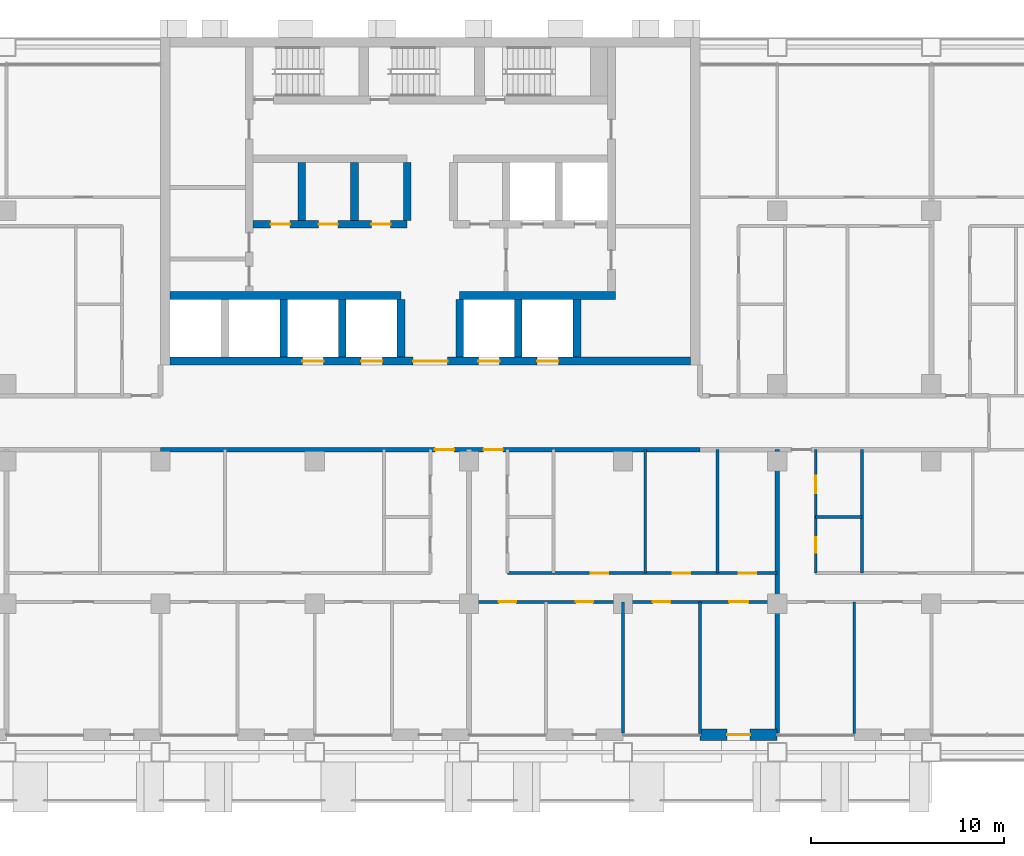
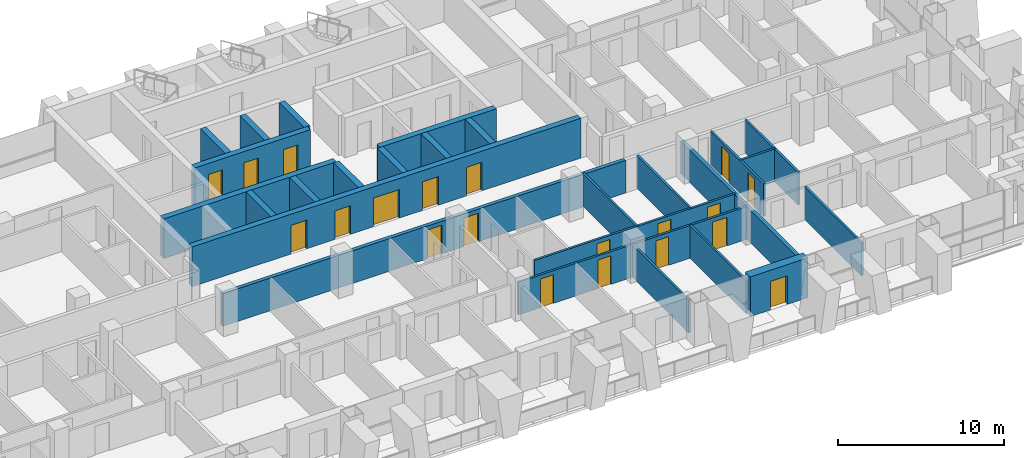
# One storey, part 11 of 18: 26 walls, 20 doors, 20 openings.
"""IFC4 building model written with IfcOpenShell, lengths in metres."""

import ifcopenshell
import ifcopenshell.guid

model = None  # the IFC model being written
_history = None  # IfcOwnerHistory: only IFC2X3 demands one
_inside = {}  # id of a spatial element -> (the spatial element, [elements in it])
_under = {}  # id of a project, library or spatial element -> (it, [spatial elements below it])
_declared = {}  # id of a project -> (the project, [libraries it declares])
_typed = {}  # id of a type object -> (the type object, [elements of that type])
_made_of = {}  # id of a material, layer set ... -> (it, [elements and type objects made of it])


def new_model(schema):
    """Start an empty IFC model of exactly this schema.

    Asked for "IFC4X3", IfcOpenShell would pick the latest addendum, in which some entities
    have other attributes; the version numbers below select the first issue.
    IFC2X3 requires an IfcOwnerHistory on every rooted entity: one is made here for all.
    """
    global model, _history
    if schema == "IFC4X3":
        model = ifcopenshell.file(schema_version=(4, 3, 0, 0))
    else:
        model = ifcopenshell.file(schema=schema)
    _inside.clear()
    _under.clear()
    _declared.clear()
    _typed.clear()
    _made_of.clear()
    _history = None
    if model.schema == "IFC2X3":
        org = make("IfcOrganization", Name="unknown")
        user = make(
            "IfcPersonAndOrganization",
            ThePerson=make("IfcPerson", FamilyName="unknown"),
            TheOrganization=org,
        )
        app = make(
            "IfcApplication",
            ApplicationDeveloper=org,
            Version="unknown",
            ApplicationFullName="unknown",
            ApplicationIdentifier="unknown",
        )
        _history = make(
            "IfcOwnerHistory",
            OwningUser=user,
            OwningApplication=app,
            ChangeAction="ADDED",
            CreationDate=0,
        )
    return model


def make(cls, **values):
    """One entity of the class cls with the attributes given. An attribute that is None is left unset."""
    return model.create_entity(
        cls, **{name: value for name, value in values.items() if value is not None}
    )


def rooted(cls, **values):
    """An entity with a GlobalId (a new one), such as an element, a storey or a relation."""
    return make(cls, GlobalId=ifcopenshell.guid.new(), OwnerHistory=_history, **values)


def si_unit(unit_type, name, prefix=None):
    """IfcSIUnit, for example si_unit("LENGTHUNIT", "METRE", prefix="MILLI")."""
    return make("IfcSIUnit", UnitType=unit_type, Prefix=prefix, Name=name)


def assignment(units):
    """IfcUnitAssignment: the units of a project."""
    return None if units is None else make("IfcUnitAssignment", Units=units)


def point(xyz):
    """IfcCartesianPoint."""
    return None if xyz is None else make("IfcCartesianPoint", Coordinates=xyz)


def direction(xyz):
    """IfcDirection."""
    return None if xyz is None else make("IfcDirection", DirectionRatios=xyz)


def frame(location, z_axis=None, x_axis=None):
    """IfcAxis2Placement3D, a coordinate frame: its origin and axes. An axis left out is left unset."""
    return make(
        "IfcAxis2Placement3D",
        Location=point(location),
        Axis=direction(z_axis),
        RefDirection=direction(x_axis),
    )


def frame_2d(location, x_axis=None):
    """IfcAxis2Placement2D, a coordinate frame in the plane: its origin and x axis."""
    return make(
        "IfcAxis2Placement2D", Location=point(location), RefDirection=direction(x_axis)
    )


def origin():
    """The frame at (0, 0, 0) with its axes left unset."""
    return frame((0.0, 0.0, 0.0))


def place(relative_to, where):
    """IfcLocalPlacement: puts the frame where relative to a parent placement (None: the world)."""
    return make(
        "IfcLocalPlacement", PlacementRelTo=relative_to, RelativePlacement=where
    )


def context(
    kind, dimensions, precision=None, world=None, true_north=None, identifier=None
):
    """IfcGeometricRepresentationContext, for example the 3D "Model" context."""
    return make(
        "IfcGeometricRepresentationContext",
        ContextIdentifier=identifier,
        ContextType=kind,
        CoordinateSpaceDimension=dimensions,
        Precision=precision,
        WorldCoordinateSystem=world,
        TrueNorth=true_north,
    )


def subcontext(parent, identifier, kind, view, scale=None):
    """IfcGeometricRepresentationSubContext, for example "Body" below "Model"."""
    return make(
        "IfcGeometricRepresentationSubContext",
        ContextIdentifier=identifier,
        ContextType=kind,
        ParentContext=parent,
        TargetScale=scale,
        TargetView=view,
    )


def project(units=None, contexts=None):
    """IfcProject with its units and contexts."""
    return rooted(
        "IfcProject",
        Name="project",
        RepresentationContexts=contexts,
        UnitsInContext=assignment(units),
    )


def spatial(cls, under=None, at=None, **own):
    """A site, building, storey or space (cls), placed at a placement, below another one or the project."""
    s = rooted(cls, ObjectPlacement=at, **own)
    if under is not None:
        _under.setdefault(under.id(), (under, []))[1].append(s)
    return s


def profile(cls, at=None, kind="AREA", **sizes):
    """A parametric profile (cls). Its sizes go by their IFC names, for example OverallWidth=200.0."""
    return make(cls, ProfileType=kind, Position=at, **sizes)


def rectangle(**sizes):
    """IfcRectangleProfileDef."""
    return profile("IfcRectangleProfileDef", **sizes)


def extrude(swept, where, along, depth):
    """IfcExtrudedAreaSolid: the profile swept, set in the frame where, extruded along a direction by depth."""
    return make(
        "IfcExtrudedAreaSolid",
        SweptArea=swept,
        Position=where,
        ExtrudedDirection=direction(along),
        Depth=depth,
    )


def shape(context_of_items, identifier, shape_type, items):
    """IfcShapeRepresentation: the items that make up one representation, for example the "Body"."""
    return make(
        "IfcShapeRepresentation",
        ContextOfItems=context_of_items,
        RepresentationIdentifier=identifier,
        RepresentationType=shape_type,
        Items=items,
    )


def material(Name=None, Category=None):
    """IfcMaterial."""
    return make("IfcMaterial", Name=Name, Category=Category)


def layer(
    of_material, thickness, ventilated=None, Name=None, Category=None, Priority=None
):
    """IfcMaterialLayer: one layer of a wall or slab, of a material (None: an air gap)."""
    return make(
        "IfcMaterialLayer",
        Material=of_material,
        LayerThickness=thickness,
        IsVentilated=ventilated,
        Name=Name,
        Category=Category,
        Priority=Priority,
    )


def layer_set(layers, Name=None):
    """IfcMaterialLayerSet."""
    return make("IfcMaterialLayerSet", MaterialLayers=layers, LayerSetName=Name)


def made_of(thing, what):
    """Note that an element or type object is made of a material, layer set ...; save() writes the relation."""
    if what is not None:
        _made_of.setdefault(what.id(), (what, []))[1].append(thing)
    return thing


def type_object(cls, material=None, **own):
    """A type object (cls), such as IfcWallType, which elements share."""
    return made_of(rooted(cls, **own), material)


def element(
    cls,
    number,
    at=None,
    inside=None,
    cuts=None,
    type_object=None,
    material=None,
    context=None,
    identifier="Body",
    shape_type=None,
    held_by="IfcProductDefinitionShape",
    body=None,
    shapes=None,
    **own,
):
    """One element of the class cls, such as IfcWall. Its Tag is "e" and its number.

    at: its placement. inside: the storey or other place that contains it. cuts: it is an
    opening in that element (IfcRelVoidsElement). A single representation is given by context,
    identifier, shape_type and body (its items); several are given by shapes. held_by: the class
    of the entity that holds the representations. save() writes the other relations.
    """
    e = rooted(cls, Tag="e%d" % number, ObjectPlacement=at, **own)
    if body is not None:
        shapes = [shape(context, identifier, shape_type, body)]
    if shapes is not None:
        e.Representation = make(held_by, Representations=shapes)
    if inside is not None:
        _inside.setdefault(inside.id(), (inside, []))[1].append(e)
    if cuts is not None:
        rooted(
            "IfcRelVoidsElement", RelatingBuildingElement=cuts, RelatedOpeningElement=e
        )
    if type_object is not None:
        _typed.setdefault(type_object.id(), (type_object, []))[1].append(e)
    return made_of(e, material)


def fill(opening, filler):
    """IfcRelFillsElement: the door or window that sits in an opening."""
    return rooted(
        "IfcRelFillsElement",
        RelatingOpeningElement=opening,
        RelatedBuildingElement=filler,
    )


def aggregate(whole, parts):
    """IfcRelAggregates: a whole, such as a stair, and the parts it consists of."""
    return rooted("IfcRelAggregates", RelatingObject=whole, RelatedObjects=parts)


def save(model, path):
    """Write the relations noted so far, then the file.

    IfcRelAggregates (storeys below a building ...), IfcRelContainedInSpatialStructure (elements
    in a storey), IfcRelDefinesByType, IfcRelAssociatesMaterial and IfcRelDeclares: one each for
    every whole, place, type object, material and project.
    """
    for whole, parts in _under.values():
        aggregate(whole, parts)
    for where, things in _inside.values():
        rooted(
            "IfcRelContainedInSpatialStructure",
            RelatedElements=things,
            RelatingStructure=where,
        )
    for kind, things in _typed.values():
        rooted("IfcRelDefinesByType", RelatedObjects=things, RelatingType=kind)
    for what, things in _made_of.values():
        rooted("IfcRelAssociatesMaterial", RelatedObjects=things, RelatingMaterial=what)
    for by, libraries in _declared.values():
        rooted("IfcRelDeclares", RelatingContext=by, RelatedDefinitions=libraries)
    model.write(path)


model = new_model("IFC4")

# Units and contexts
model_context = context("Model", 3, precision=1e-05, world=origin(), true_north=direction((0.0, 1.0)))
body_context = subcontext(model_context, "Body", "Model", "MODEL_VIEW")
ifc_project = project(units=[si_unit("LENGTHUNIT", "METRE"), si_unit("AREAUNIT", "SQUARE_METRE"), si_unit("VOLUMEUNIT", "CUBIC_METRE"), si_unit("PLANEANGLEUNIT", "RADIAN"), si_unit("MASSUNIT", "GRAM", prefix="KILO")], contexts=[model_context])

# Site, building, storey
site_placement = place(None, origin())
site = spatial("IfcSite", under=ifc_project, at=site_placement, CompositionType="ELEMENT")
building_placement = place(site_placement, origin())
building = spatial("IfcBuilding", under=site, at=building_placement, Name="Vidyagriha Tower", CompositionType="ELEMENT")
storey_placement = place(building_placement, frame((0.0, 0.0, 41.60009765625)))
storey = spatial("IfcBuildingStorey", under=building, at=storey_placement, Name="L10", CompositionType="ELEMENT", Elevation=41.60009765625)

# Wall, opening, door
ifc_material_1 = material(Name="Precast concrete C40/50 with brick facing", Category="concrete")
ifc_layer_1 = layer(ifc_material_1, 0.60009765625)
ifc_layer_set_1 = layer_set([ifc_layer_1], Name="Precast concrete C40/50 with brick facing")
wall_type_1 = type_object("IfcWallType", Name="Brick-faced precast wall 600", PredefinedType="STANDARD", material=ifc_layer_set_1)
wall_1_placement = place(storey_placement, frame((14.0, -16.199951171875, 0.0)))
wall_1 = element("IfcWall", 1, at=wall_1_placement, inside=storey, type_object=wall_type_1, Name="Brick door bay wall L10 R23.13", PredefinedType="STANDARD", context=body_context, shape_type="SweptSolid", body=[
    extrude(rectangle(XDim=4.0, YDim=0.60009765625, at=frame_2d((2.0, 0.0))), origin(), (0.0, 0.0, 1.0), 2.919921875),
])
opening_1_placement = place(wall_1_placement, frame((1.39990234375, 0.0, 0.0)))
opening_1 = element("IfcOpeningElement", 2, at=opening_1_placement, cuts=wall_1, Name="Opening D10-84", PredefinedType="OPENING", context=body_context, shape_type="SweptSolid", body=[
    extrude(rectangle(XDim=1.199951171875, YDim=2.10009765625, at=frame_2d((0.60009765625, 1.050048828125))), frame((0.0, 0.31005859375, 0.0), z_axis=(0.0, -1.0, 0.0), x_axis=(1.0, 0.0, 0.0)), (0.0, 0.0, 1.0), 0.6201171875),
])
ifc_material_2 = material(Name="Aluminium framed glazed sliding door", Category="aluminium")
door_type_1 = type_object("IfcDoorType", Name="Balcony sliding door 1200x2100", OperationType="NOTDEFINED", PredefinedType="DOOR", material=ifc_material_2)
door_1_placement = place(opening_1_placement, origin())
door_1 = element("IfcDoor", 3, at=door_1_placement, inside=storey, type_object=door_type_1, Name="Door D10-84", OperationType="SLIDING_TO_LEFT", OverallHeight=2.10009765625, OverallWidth=1.199951171875, PredefinedType="DOOR", context=body_context, shape_type="SweptSolid", body=[
    extrude(rectangle(XDim=1.199951171875, YDim=2.10009765625, at=frame_2d((0.60009765625, 1.050048828125))), frame((0.0, 0.02490234375, 0.0), z_axis=(0.0, -1.0, 0.0), x_axis=(1.0, 0.0, 0.0)), (0.0, 0.0, 1.0), 0.050048828125),
])
fill(opening_1, door_1)

# Wall, openings, doors
ifc_material_3 = material(Name="Concrete C60/75", Category="concrete")
ifc_layer_2 = layer(ifc_material_3, 0.39990234375)
ifc_layer_set_2 = layer_set([ifc_layer_2], Name="Concrete C60/75")
wall_type_2 = type_object("IfcWallType", Name="Core shear wall 400 mm", PredefinedType="SHEAR", material=ifc_layer_set_2)
wall_2_placement = place(storey_placement, frame((-13.5, 3.199951171875, 0.0)))
wall_2 = element("IfcWall", 4, at=wall_2_placement, inside=storey, type_object=wall_type_2, Name="Core front wall", PredefinedType="SHEAR", context=body_context, shape_type="SweptSolid", body=[
    extrude(rectangle(XDim=27.0, YDim=0.39990234375, at=frame_2d((13.5, 0.0))), origin(), (0.0, 0.0, 1.0), 2.919921875),
])
opening_2_placement = place(wall_2_placement, frame((6.861083984375, 0.0, 0.0)))
opening_2 = element("IfcOpeningElement", 5, at=opening_2_placement, cuts=wall_2, Name="Opening LD10-01", PredefinedType="OPENING", context=body_context, shape_type="SweptSolid", body=[
    extrude(rectangle(XDim=1.10009765625, YDim=2.10009765625, at=frame_2d((0.550048828125, 1.050048828125))), frame((0.0, 0.2099609375, 0.0), z_axis=(0.0, -1.0, 0.0), x_axis=(1.0, 0.0, 0.0)), (0.0, 0.0, 1.0), 0.419921875),
])
opening_3_placement = place(wall_2_placement, frame((9.905517578125, 0.0, 0.0)))
opening_3 = element("IfcOpeningElement", 6, at=opening_3_placement, cuts=wall_2, Name="Opening LD10-02", PredefinedType="OPENING", context=body_context, shape_type="SweptSolid", body=[
    extrude(rectangle(XDim=1.10009765625, YDim=2.10009765625, at=frame_2d((0.550048828125, 1.050048828125))), frame((0.0, 0.2099609375, 0.0), z_axis=(0.0, -1.0, 0.0), x_axis=(1.0, 0.0, 0.0)), (0.0, 0.0, 1.0), 0.419921875),
])
opening_4_placement = place(wall_2_placement, frame((15.994384765625, 0.0, 0.0)))
opening_4 = element("IfcOpeningElement", 7, at=opening_4_placement, cuts=wall_2, Name="Opening LD10-03", PredefinedType="OPENING", context=body_context, shape_type="SweptSolid", body=[
    extrude(rectangle(XDim=1.10009765625, YDim=2.10009765625, at=frame_2d((0.550048828125, 1.050048828125))), frame((0.0, 0.2099609375, 0.0), z_axis=(0.0, -1.0, 0.0), x_axis=(1.0, 0.0, 0.0)), (0.0, 0.0, 1.0), 0.419921875),
])
opening_5_placement = place(wall_2_placement, frame((19.038818359375, 0.0, 0.0)))
opening_5 = element("IfcOpeningElement", 8, at=opening_5_placement, cuts=wall_2, Name="Opening LD10-04", PredefinedType="OPENING", context=body_context, shape_type="SweptSolid", body=[
    extrude(rectangle(XDim=1.10009765625, YDim=2.10009765625, at=frame_2d((0.550048828125, 1.050048828125))), frame((0.0, 0.2099609375, 0.0), z_axis=(0.0, -1.0, 0.0), x_axis=(1.0, 0.0, 0.0)), (0.0, 0.0, 1.0), 0.419921875),
])
opening_6_placement = place(wall_2_placement, frame((12.60009765625, 0.0, 0.0)))
opening_6 = element("IfcOpeningElement", 9, at=opening_6_placement, cuts=wall_2, Name="Opening D10-01", PredefinedType="OPENING", context=body_context, shape_type="SweptSolid", body=[
    extrude(rectangle(XDim=1.800048828125, YDim=2.10009765625, at=frame_2d((0.89990234375, 1.050048828125))), frame((0.0, 0.2099609375, 0.0), z_axis=(0.0, -1.0, 0.0), x_axis=(1.0, 0.0, 0.0)), (0.0, 0.0, 1.0), 0.419921875),
])
ifc_material_4 = material(Name="Hollow metal door leaf")
door_type_2 = type_object("IfcDoorType", Name="Core lobby double door 1800 x 2100 mm EI 60", OperationType="NOTDEFINED", PredefinedType="DOOR", material=ifc_material_4)
door_2_placement = place(opening_6_placement, frame((1.800048828125, 0.0, 0.0), z_axis=(0.0, 0.0, 1.0), x_axis=(-1.0, 0.0, 0.0)))
door_2 = element("IfcDoor", 10, at=door_2_placement, inside=storey, type_object=door_type_2, Name="Core entrance door L10", OperationType="DOUBLE_DOOR_SINGLE_SWING", OverallHeight=2.10009765625, OverallWidth=1.800048828125, PredefinedType="DOOR", context=body_context, shape_type="SweptSolid", body=[
    extrude(rectangle(XDim=1.800048828125, YDim=2.10009765625, at=frame_2d((0.89990234375, 1.050048828125))), frame((0.0, 0.02490234375, 0.0), z_axis=(0.0, -1.0, 0.0), x_axis=(1.0, 0.0, 0.0)), (0.0, 0.0, 1.0), 0.050048828125),
])
fill(opening_6, door_2)
ifc_material_5 = material(Name="Stainless steel sliding door panel", Category="steel")
door_type_3 = type_object("IfcDoorType", Name="Lift landing door 1100 x 2100 mm EI 90", OperationType="NOTDEFINED", PredefinedType="DOOR", material=ifc_material_5)
door_3_placement = place(opening_2_placement, origin())
door_3 = element("IfcDoor", 11, at=door_3_placement, inside=storey, type_object=door_type_3, Name="Landing door LR1 L10", OperationType="SLIDING_TO_LEFT", OverallHeight=2.10009765625, OverallWidth=1.10009765625, PredefinedType="DOOR", context=body_context, shape_type="SweptSolid", body=[
    extrude(rectangle(XDim=1.10009765625, YDim=2.10009765625, at=frame_2d((0.550048828125, 1.050048828125))), frame((0.0, 0.02490234375, 0.0), z_axis=(0.0, -1.0, 0.0), x_axis=(1.0, 0.0, 0.0)), (0.0, 0.0, 1.0), 0.050048828125),
])
fill(opening_2, door_3)
door_4_placement = place(opening_3_placement, origin())
door_4 = element("IfcDoor", 12, at=door_4_placement, inside=storey, type_object=door_type_3, Name="Landing door LR2 L10", OperationType="SLIDING_TO_LEFT", OverallHeight=2.10009765625, OverallWidth=1.10009765625, PredefinedType="DOOR", context=body_context, shape_type="SweptSolid", body=[
    extrude(rectangle(XDim=1.10009765625, YDim=2.10009765625, at=frame_2d((0.550048828125, 1.050048828125))), frame((0.0, 0.02490234375, 0.0), z_axis=(0.0, -1.0, 0.0), x_axis=(1.0, 0.0, 0.0)), (0.0, 0.0, 1.0), 0.050048828125),
])
fill(opening_3, door_4)
door_5_placement = place(opening_4_placement, origin())
door_5 = element("IfcDoor", 13, at=door_5_placement, inside=storey, type_object=door_type_3, Name="Landing door LR3 L10", OperationType="SLIDING_TO_LEFT", OverallHeight=2.10009765625, OverallWidth=1.10009765625, PredefinedType="DOOR", context=body_context, shape_type="SweptSolid", body=[
    extrude(rectangle(XDim=1.10009765625, YDim=2.10009765625, at=frame_2d((0.550048828125, 1.050048828125))), frame((0.0, 0.02490234375, 0.0), z_axis=(0.0, -1.0, 0.0), x_axis=(1.0, 0.0, 0.0)), (0.0, 0.0, 1.0), 0.050048828125),
])
fill(opening_4, door_5)
door_6_placement = place(opening_5_placement, origin())
door_6 = element("IfcDoor", 14, at=door_6_placement, inside=storey, type_object=door_type_3, Name="Landing door LR4 L10", OperationType="SLIDING_TO_LEFT", OverallHeight=2.10009765625, OverallWidth=1.10009765625, PredefinedType="DOOR", context=body_context, shape_type="SweptSolid", body=[
    extrude(rectangle(XDim=1.10009765625, YDim=2.10009765625, at=frame_2d((0.550048828125, 1.050048828125))), frame((0.0, 0.02490234375, 0.0), z_axis=(0.0, -1.0, 0.0), x_axis=(1.0, 0.0, 0.0)), (0.0, 0.0, 1.0), 0.050048828125),
])
fill(opening_5, door_6)

# Walls
wall_3_placement = place(storey_placement, frame((-13.5, 6.60009765625, 0.0)))
element("IfcWall", 15, at=wall_3_placement, inside=storey, type_object=wall_type_2, Name="Core lobby south wall west", PredefinedType="SHEAR", context=body_context, shape_type="SweptSolid", body=[
    extrude(rectangle(XDim=11.977783203125, YDim=0.39990234375, at=frame_2d((5.98876953125, 0.0))), origin(), (0.0, 0.0, 1.0), 2.919921875),
])
wall_4_placement = place(storey_placement, frame((1.522216796875, 6.60009765625, 0.0)))
element("IfcWall", 16, at=wall_4_placement, inside=storey, type_object=wall_type_2, Name="Core lobby south wall east", PredefinedType="SHEAR", context=body_context, shape_type="SweptSolid", body=[
    extrude(rectangle(XDim=8.077880859375, YDim=0.39990234375, at=frame_2d((4.0390625, 0.0))), origin(), (0.0, 0.0, 1.0), 2.919921875),
])
for number, where, z_axis, x_axis, name in (
    (17, (-7.611083984375, 3.39990234375, 0.0), (0.0, 0.0, 1.0), (0.0, 1.0, 0.0), "Core bay wall S2"),
    (18, (-4.566650390625, 3.39990234375, 0.0), (0.0, 0.0, 1.0), (0.0, 1.0, 0.0), "Core bay wall S3"),
    (19, (-1.522216796875, 3.39990234375, 0.0), (0.0, 0.0, 1.0), (0.0, 1.0, 0.0), "Core bay wall S4"),
    (20, (1.522216796875, 3.39990234375, 0.0), (0.0, 0.0, 1.0), (0.0, 1.0, 0.0), "Core bay wall S5"),
    (21, (4.566650390625, 3.39990234375, 0.0), (0.0, 0.0, 1.0), (0.0, 1.0, 0.0), "Core bay wall S6"),
    (22, (7.611083984375, 3.39990234375, 0.0), (0.0, 0.0, 1.0), (0.0, 1.0, 0.0), "Core bay wall S7"),
):
    element("IfcWall", number, at=place(storey_placement, frame(where, z_axis=z_axis, x_axis=x_axis)), inside=storey, type_object=wall_type_2, Name=name, PredefinedType="SHEAR", context=body_context, shape_type="SweptSolid", body=[
        extrude(rectangle(XDim=3.0, YDim=0.39990234375, at=frame_2d((1.5, 0.0))), origin(), (0.0, 0.0, 1.0), 2.919921875),
    ])

# Wall, openings, doors
wall_5_placement = place(storey_placement, frame((-9.199951171875, 10.300048828125, 0.0)))
wall_5 = element("IfcWall", 23, at=wall_5_placement, inside=storey, type_object=wall_type_2, Name="Core row N front wall", PredefinedType="SHEAR", context=body_context, shape_type="SweptSolid", body=[
    extrude(rectangle(XDim=8.0, YDim=0.39990234375, at=frame_2d((4.0, 0.0))), origin(), (0.0, 0.0, 1.0), 2.919921875),
])
opening_7_placement = place(wall_5_placement, frame((0.916748046875, 0.0, 0.0)))
opening_7 = element("IfcOpeningElement", 24, at=opening_7_placement, cuts=wall_5, Name="Opening D10-02", PredefinedType="OPENING", context=body_context, shape_type="SweptSolid", body=[
    extrude(rectangle(XDim=1.0, YDim=2.10009765625, at=frame_2d((0.5, 1.050048828125))), frame((0.0, 0.2099609375, 0.0), z_axis=(0.0, -1.0, 0.0), x_axis=(1.0, 0.0, 0.0)), (0.0, 0.0, 1.0), 0.419921875),
])
opening_8_placement = place(wall_5_placement, frame((3.39990234375, 0.0, 0.0)))
opening_8 = element("IfcOpeningElement", 25, at=opening_8_placement, cuts=wall_5, Name="Opening D10-03", PredefinedType="OPENING", context=body_context, shape_type="SweptSolid", body=[
    extrude(rectangle(XDim=1.0, YDim=2.10009765625, at=frame_2d((0.5, 1.050048828125))), frame((0.0, 0.2099609375, 0.0), z_axis=(0.0, -1.0, 0.0), x_axis=(1.0, 0.0, 0.0)), (0.0, 0.0, 1.0), 0.419921875),
])
opening_9_placement = place(wall_5_placement, frame((6.13330078125, 0.0, 0.0)))
opening_9 = element("IfcOpeningElement", 26, at=opening_9_placement, cuts=wall_5, Name="Opening D10-04", PredefinedType="OPENING", context=body_context, shape_type="SweptSolid", body=[
    extrude(rectangle(XDim=1.0, YDim=2.10009765625, at=frame_2d((0.5, 1.050048828125))), frame((0.0, 0.2099609375, 0.0), z_axis=(0.0, -1.0, 0.0), x_axis=(1.0, 0.0, 0.0)), (0.0, 0.0, 1.0), 0.419921875),
])
ifc_material_6 = material(Name="Hollow metal door leaf")
door_type_4 = type_object("IfcDoorType", Name="Core room door 1000 x 2100 mm EI 60", OperationType="NOTDEFINED", PredefinedType="DOOR", material=ifc_material_6)
door_7_placement = place(opening_7_placement, frame((1.0, 0.0, 0.0), z_axis=(0.0, 0.0, 1.0), x_axis=(-1.0, 0.0, 0.0)))
door_7 = element("IfcDoor", 27, at=door_7_placement, inside=storey, type_object=door_type_4, Name="Door Electrical Room 10.14", OperationType="SINGLE_SWING_RIGHT", OverallHeight=2.10009765625, OverallWidth=1.0, PredefinedType="DOOR", context=body_context, shape_type="SweptSolid", body=[
    extrude(rectangle(XDim=1.0, YDim=2.10009765625, at=frame_2d((0.5, 1.050048828125))), frame((0.0, 0.02490234375, 0.0), z_axis=(0.0, -1.0, 0.0), x_axis=(1.0, 0.0, 0.0)), (0.0, 0.0, 1.0), 0.050048828125),
])
fill(opening_7, door_7)
door_8_placement = place(opening_8_placement, frame((1.0, 0.0, 0.0), z_axis=(0.0, 0.0, 1.0), x_axis=(-1.0, 0.0, 0.0)))
door_8 = element("IfcDoor", 28, at=door_8_placement, inside=storey, type_object=door_type_4, Name="Door Cleaners Store 10.15", OperationType="SINGLE_SWING_RIGHT", OverallHeight=2.10009765625, OverallWidth=1.0, PredefinedType="DOOR", context=body_context, shape_type="SweptSolid", body=[
    extrude(rectangle(XDim=1.0, YDim=2.10009765625, at=frame_2d((0.5, 1.050048828125))), frame((0.0, 0.02490234375, 0.0), z_axis=(0.0, -1.0, 0.0), x_axis=(1.0, 0.0, 0.0)), (0.0, 0.0, 1.0), 0.050048828125),
])
fill(opening_8, door_8)
door_9_placement = place(opening_9_placement, frame((1.0, 0.0, 0.0), z_axis=(0.0, 0.0, 1.0), x_axis=(-1.0, 0.0, 0.0)))
door_9 = element("IfcDoor", 29, at=door_9_placement, inside=storey, type_object=door_type_4, Name="Door Riser Room 10.16", OperationType="SINGLE_SWING_LEFT", OverallHeight=2.10009765625, OverallWidth=1.0, PredefinedType="DOOR", context=body_context, shape_type="SweptSolid", body=[
    extrude(rectangle(XDim=1.0, YDim=2.10009765625, at=frame_2d((0.5, 1.050048828125))), frame((0.0, 0.02490234375, 0.0), z_axis=(0.0, -1.0, 0.0), x_axis=(1.0, 0.0, 0.0)), (0.0, 0.0, 1.0), 0.050048828125),
])
fill(opening_9, door_9)

# Walls
for number, where, z_axis, x_axis, name in (
    (30, (-6.666748046875, 10.5, 0.0), (0.0, 0.0, 1.0), (0.0, 1.0, 0.0), "Core bay wall N1"),
    (31, (-3.933349609375, 10.5, 0.0), (0.0, 0.0, 1.0), (0.0, 1.0, 0.0), "Core bay wall N2"),
    (32, (-1.199951171875, 10.5, 0.0), (0.0, 0.0, 1.0), (0.0, 1.0, 0.0), "Core bay wall N3"),
):
    element("IfcWall", number, at=place(storey_placement, frame(where, z_axis=z_axis, x_axis=x_axis)), inside=storey, type_object=wall_type_2, Name=name, PredefinedType="SHEAR", context=body_context, shape_type="SweptSolid", body=[
        extrude(rectangle(XDim=3.0, YDim=0.39990234375, at=frame_2d((1.5, 0.0))), origin(), (0.0, 0.0, 1.0), 2.919921875),
    ])

# Wall, openings, doors
ifc_material_7 = material(Name="Fired clay brick masonry", Category="masonry")
ifc_layer_3 = layer(ifc_material_7, 0.25)
ifc_layer_set_3 = layer_set([ifc_layer_3], Name="Fired clay brick masonry")
wall_type_3 = type_object("IfcWallType", Name="Fired clay brick corridor wall 250", PredefinedType="PARTITIONING", material=ifc_layer_set_3)
wall_6_placement = place(storey_placement, frame((14.0, -1.39990234375, 0.0), z_axis=(0.0, 0.0, 1.0), x_axis=(-1.0, 0.0, 0.0)))
wall_6 = element("IfcWall", 33, at=wall_6_placement, inside=storey, type_object=wall_type_3, Name="Wall all-L10-w137", PredefinedType="PARTITIONING", context=body_context, shape_type="SweptSolid", body=[
    extrude(rectangle(XDim=28.0, YDim=0.25, at=frame_2d((14.0, 0.0))), origin(), (0.0, 0.0, 1.0), 2.39990234375),
])
opening_10_placement = place(wall_6_placement, frame((12.760009765625, 0.0, 0.0)))
opening_10 = element("IfcOpeningElement", 34, at=opening_10_placement, cuts=wall_6, Name="Opening D10-32", PredefinedType="OPENING", context=body_context, shape_type="SweptSolid", body=[
    extrude(rectangle(XDim=1.0, YDim=2.10009765625, at=frame_2d((0.5, 1.050048828125))), frame((0.0, 0.135009765625, 0.0), z_axis=(0.0, -1.0, 0.0), x_axis=(1.0, 0.0, 0.0)), (0.0, 0.0, 1.0), 0.27001953125),
])
opening_11_placement = place(wall_6_placement, frame((10.239990234375, 0.0, 0.0)))
opening_11 = element("IfcOpeningElement", 35, at=opening_11_placement, cuts=wall_6, Name="Opening D10-42", PredefinedType="OPENING", context=body_context, shape_type="SweptSolid", body=[
    extrude(rectangle(XDim=1.0, YDim=2.10009765625, at=frame_2d((0.5, 1.050048828125))), frame((0.0, 0.135009765625, 0.0), z_axis=(0.0, -1.0, 0.0), x_axis=(1.0, 0.0, 0.0)), (0.0, 0.0, 1.0), 0.27001953125),
])
ifc_material_8 = material(Name="Fire-rated timber door leaf EI 60", Category="wood")
door_type_5 = type_object("IfcDoorType", Name="Flat entrance fire door 1000x2100", OperationType="NOTDEFINED", PredefinedType="DOOR", material=ifc_material_8)
door_10_placement = place(opening_10_placement, origin())
door_10 = element("IfcDoor", 36, at=door_10_placement, inside=storey, type_object=door_type_5, Name="Door D10-32", OperationType="SINGLE_SWING_LEFT", OverallHeight=2.10009765625, OverallWidth=1.0, PredefinedType="DOOR", context=body_context, shape_type="SweptSolid", body=[
    extrude(rectangle(XDim=1.0, YDim=2.10009765625, at=frame_2d((0.5, 1.050048828125))), frame((0.0, 0.02490234375, 0.0), z_axis=(0.0, -1.0, 0.0), x_axis=(1.0, 0.0, 0.0)), (0.0, 0.0, 1.0), 0.050048828125),
])
fill(opening_10, door_10)
door_11_placement = place(opening_11_placement, origin())
door_11 = element("IfcDoor", 37, at=door_11_placement, inside=storey, type_object=door_type_5, Name="Door D10-42", OperationType="SINGLE_SWING_RIGHT", OverallHeight=2.10009765625, OverallWidth=1.0, PredefinedType="DOOR", context=body_context, shape_type="SweptSolid", body=[
    extrude(rectangle(XDim=1.0, YDim=2.10009765625, at=frame_2d((0.5, 1.050048828125))), frame((0.0, 0.02490234375, 0.0), z_axis=(0.0, -1.0, 0.0), x_axis=(1.0, 0.0, 0.0)), (0.0, 0.0, 1.0), 0.050048828125),
])
fill(opening_11, door_11)

# Walls
ifc_material_9 = material(Name="Fired clay brick masonry", Category="masonry")
ifc_layer_4 = layer(ifc_material_9, 0.25)
ifc_layer_set_4 = layer_set([ifc_layer_4], Name="Fired clay brick masonry")
wall_type_4 = type_object("IfcWallType", Name="Fired clay brick demising wall 250", PredefinedType="PARTITIONING", material=ifc_layer_set_4)
wall_7_placement = place(storey_placement, frame((18.0, -1.39990234375, 0.0), z_axis=(0.0, 0.0, 1.0), x_axis=(0.0, -1.0, 0.0)))
element("IfcWall", 38, at=wall_7_placement, inside=storey, type_object=wall_type_4, Name="Wall all-L10-w079", PredefinedType="PARTITIONING", context=body_context, shape_type="SweptSolid", body=[
    extrude(rectangle(XDim=14.710205078125, YDim=0.25, at=frame_2d((7.35498046875, 0.0))), origin(), (0.0, 0.0, 1.0), 2.39990234375),
])
ifc_material_10 = material(Name="Gypsum board partition")
ifc_layer_5 = layer(ifc_material_10, 0.14990234375)
ifc_layer_set_5 = layer_set([ifc_layer_5], Name="Gypsum board partition")
wall_type_5 = type_object("IfcWallType", Name="Gypsum board partition 150", PredefinedType="PARTITIONING", material=ifc_layer_set_5)
for number, where, z_axis, x_axis, name in (
    (39, (11.14990234375, -1.39990234375, 0.0), (0.0, 0.0, 1.0), (0.0, -1.0, 0.0), "Wall all-L10-w043"),
    (40, (14.89990234375, -1.39990234375, 0.0), (0.0, 0.0, 1.0), (0.0, -1.0, 0.0), "Wall all-L10-w044"),
):
    element("IfcWall", number, at=place(storey_placement, frame(where, z_axis=z_axis, x_axis=x_axis)), inside=storey, type_object=wall_type_5, Name=name, PredefinedType="PARTITIONING", context=body_context, shape_type="SweptSolid", body=[
        extrude(rectangle(XDim=6.400146484375, YDim=0.14990234375, at=frame_2d((3.2001953125, 0.0))), origin(), (0.0, 0.0, 1.0), 2.39990234375),
    ])

# Wall, openings, doors
wall_8_placement = place(storey_placement, frame((4.0, -7.800048828125, 0.0)))
wall_8 = element("IfcWall", 41, at=wall_8_placement, inside=storey, type_object=wall_type_5, Name="Wall all-L10-w045", PredefinedType="PARTITIONING", context=body_context, shape_type="SweptSolid", body=[
    extrude(rectangle(XDim=14.0, YDim=0.14990234375, at=frame_2d((7.0, 0.0))), origin(), (0.0, 0.0, 1.0), 2.39990234375),
])
opening_12_placement = place(wall_8_placement, frame((4.324951171875, 0.0, 0.0)))
opening_12 = element("IfcOpeningElement", 42, at=opening_12_placement, cuts=wall_8, Name="Opening D10-35", PredefinedType="OPENING", context=body_context, shape_type="SweptSolid", body=[
    extrude(rectangle(XDim=0.89990234375, YDim=2.10009765625, at=frame_2d((0.449951171875, 1.050048828125))), frame((0.0, 0.0849609375, 0.0), z_axis=(0.0, -1.0, 0.0), x_axis=(1.0, 0.0, 0.0)), (0.0, 0.0, 1.0), 0.169921875),
])
opening_13_placement = place(wall_8_placement, frame((8.574951171875, 0.0, 0.0)))
opening_13 = element("IfcOpeningElement", 43, at=opening_13_placement, cuts=wall_8, Name="Opening D10-36", PredefinedType="OPENING", context=body_context, shape_type="SweptSolid", body=[
    extrude(rectangle(XDim=0.89990234375, YDim=2.10009765625, at=frame_2d((0.449951171875, 1.050048828125))), frame((0.0, 0.0849609375, 0.0), z_axis=(0.0, -1.0, 0.0), x_axis=(1.0, 0.0, 0.0)), (0.0, 0.0, 1.0), 0.169921875),
])
opening_14_placement = place(wall_8_placement, frame((12.0, 0.0, 0.0)))
opening_14 = element("IfcOpeningElement", 44, at=opening_14_placement, cuts=wall_8, Name="Opening D10-37", PredefinedType="OPENING", context=body_context, shape_type="SweptSolid", body=[
    extrude(rectangle(XDim=0.89990234375, YDim=2.10009765625, at=frame_2d((0.449951171875, 1.050048828125))), frame((0.0, 0.0849609375, 0.0), z_axis=(0.0, -1.0, 0.0), x_axis=(1.0, 0.0, 0.0)), (0.0, 0.0, 1.0), 0.169921875),
])
ifc_material_11 = material(Name="Timber door leaf", Category="wood")
door_type_6 = type_object("IfcDoorType", Name="Room door 900x2100", OperationType="NOTDEFINED", PredefinedType="DOOR", material=ifc_material_11)
door_12_placement = place(opening_12_placement, origin())
door_12 = element("IfcDoor", 45, at=door_12_placement, inside=storey, type_object=door_type_6, Name="Door D10-35", OperationType="SINGLE_SWING_RIGHT", OverallHeight=2.10009765625, OverallWidth=0.89990234375, PredefinedType="DOOR", context=body_context, shape_type="SweptSolid", body=[
    extrude(rectangle(XDim=0.89990234375, YDim=2.10009765625, at=frame_2d((0.449951171875, 1.050048828125))), frame((0.0, 0.02490234375, 0.0), z_axis=(0.0, -1.0, 0.0), x_axis=(1.0, 0.0, 0.0)), (0.0, 0.0, 1.0), 0.050048828125),
])
fill(opening_12, door_12)
door_13_placement = place(opening_13_placement, origin())
door_13 = element("IfcDoor", 46, at=door_13_placement, inside=storey, type_object=door_type_6, Name="Door D10-36", OperationType="SINGLE_SWING_RIGHT", OverallHeight=2.10009765625, OverallWidth=0.89990234375, PredefinedType="DOOR", context=body_context, shape_type="SweptSolid", body=[
    extrude(rectangle(XDim=0.89990234375, YDim=2.10009765625, at=frame_2d((0.449951171875, 1.050048828125))), frame((0.0, 0.02490234375, 0.0), z_axis=(0.0, -1.0, 0.0), x_axis=(1.0, 0.0, 0.0)), (0.0, 0.0, 1.0), 0.050048828125),
])
fill(opening_13, door_13)
door_14_placement = place(opening_14_placement, origin())
door_14 = element("IfcDoor", 47, at=door_14_placement, inside=storey, type_object=door_type_6, Name="Door D10-37", OperationType="SINGLE_SWING_LEFT", OverallHeight=2.10009765625, OverallWidth=0.89990234375, PredefinedType="DOOR", context=body_context, shape_type="SweptSolid", body=[
    extrude(rectangle(XDim=0.89990234375, YDim=2.10009765625, at=frame_2d((0.449951171875, 1.050048828125))), frame((0.0, 0.02490234375, 0.0), z_axis=(0.0, -1.0, 0.0), x_axis=(1.0, 0.0, 0.0)), (0.0, 0.0, 1.0), 0.050048828125),
])
fill(opening_14, door_14)

wall_9_placement = place(storey_placement, frame((18.0, -9.300048828125, 0.0), z_axis=(0.0, 0.0, 1.0), x_axis=(-1.0, 0.0, 0.0)))
wall_9 = element("IfcWall", 48, at=wall_9_placement, inside=storey, type_object=wall_type_5, Name="Wall all-L10-w049", PredefinedType="PARTITIONING", context=body_context, shape_type="SweptSolid", body=[
    extrude(rectangle(XDim=16.0, YDim=0.14990234375, at=frame_2d((8.0, 0.0))), origin(), (0.0, 0.0, 1.0), 2.39990234375),
])
opening_15_placement = place(wall_9_placement, frame((13.550048828125, 0.0, 0.0)))
opening_15 = element("IfcOpeningElement", 49, at=opening_15_placement, cuts=wall_9, Name="Opening D10-38", PredefinedType="OPENING", context=body_context, shape_type="SweptSolid", body=[
    extrude(rectangle(XDim=0.89990234375, YDim=2.10009765625, at=frame_2d((0.449951171875, 1.050048828125))), frame((0.0, 0.0849609375, 0.0), z_axis=(0.0, -1.0, 0.0), x_axis=(1.0, 0.0, 0.0)), (0.0, 0.0, 1.0), 0.169921875),
])
opening_16_placement = place(wall_9_placement, frame((9.550048828125, 0.0, 0.0)))
opening_16 = element("IfcOpeningElement", 50, at=opening_16_placement, cuts=wall_9, Name="Opening D10-39", PredefinedType="OPENING", context=body_context, shape_type="SweptSolid", body=[
    extrude(rectangle(XDim=0.89990234375, YDim=2.10009765625, at=frame_2d((0.449951171875, 1.050048828125))), frame((0.0, 0.0849609375, 0.0), z_axis=(0.0, -1.0, 0.0), x_axis=(1.0, 0.0, 0.0)), (0.0, 0.0, 1.0), 0.169921875),
])
opening_17_placement = place(wall_9_placement, frame((5.550048828125, 0.0, 0.0)))
opening_17 = element("IfcOpeningElement", 51, at=opening_17_placement, cuts=wall_9, Name="Opening D10-40", PredefinedType="OPENING", context=body_context, shape_type="SweptSolid", body=[
    extrude(rectangle(XDim=0.89990234375, YDim=2.10009765625, at=frame_2d((0.449951171875, 1.050048828125))), frame((0.0, 0.0849609375, 0.0), z_axis=(0.0, -1.0, 0.0), x_axis=(1.0, 0.0, 0.0)), (0.0, 0.0, 1.0), 0.169921875),
])
opening_18_placement = place(wall_9_placement, frame((1.5, 0.0, 0.0)))
opening_18 = element("IfcOpeningElement", 52, at=opening_18_placement, cuts=wall_9, Name="Opening D10-41", PredefinedType="OPENING", context=body_context, shape_type="SweptSolid", body=[
    extrude(rectangle(XDim=1.0, YDim=2.10009765625, at=frame_2d((0.5, 1.050048828125))), frame((0.0, 0.0849609375, 0.0), z_axis=(0.0, -1.0, 0.0), x_axis=(1.0, 0.0, 0.0)), (0.0, 0.0, 1.0), 0.169921875),
])
ifc_material_12 = material(Name="Timber door leaf", Category="wood")
door_type_7 = type_object("IfcDoorType", Name="Room door 1000x2100", OperationType="NOTDEFINED", PredefinedType="DOOR", material=ifc_material_12)
door_15_placement = place(opening_18_placement, origin())
door_15 = element("IfcDoor", 53, at=door_15_placement, inside=storey, type_object=door_type_7, Name="Door D10-41", OperationType="SINGLE_SWING_RIGHT", OverallHeight=2.10009765625, OverallWidth=1.0, PredefinedType="DOOR", context=body_context, shape_type="SweptSolid", body=[
    extrude(rectangle(XDim=1.0, YDim=2.10009765625, at=frame_2d((0.5, 1.050048828125))), frame((0.0, 0.02490234375, 0.0), z_axis=(0.0, -1.0, 0.0), x_axis=(1.0, 0.0, 0.0)), (0.0, 0.0, 1.0), 0.050048828125),
])
fill(opening_18, door_15)
door_16_placement = place(opening_15_placement, origin())
door_16 = element("IfcDoor", 54, at=door_16_placement, inside=storey, type_object=door_type_6, Name="Door D10-38", OperationType="SINGLE_SWING_RIGHT", OverallHeight=2.10009765625, OverallWidth=0.89990234375, PredefinedType="DOOR", context=body_context, shape_type="SweptSolid", body=[
    extrude(rectangle(XDim=0.89990234375, YDim=2.10009765625, at=frame_2d((0.449951171875, 1.050048828125))), frame((0.0, 0.02490234375, 0.0), z_axis=(0.0, -1.0, 0.0), x_axis=(1.0, 0.0, 0.0)), (0.0, 0.0, 1.0), 0.050048828125),
])
fill(opening_15, door_16)
door_17_placement = place(opening_16_placement, origin())
door_17 = element("IfcDoor", 55, at=door_17_placement, inside=storey, type_object=door_type_6, Name="Door D10-39", OperationType="SINGLE_SWING_RIGHT", OverallHeight=2.10009765625, OverallWidth=0.89990234375, PredefinedType="DOOR", context=body_context, shape_type="SweptSolid", body=[
    extrude(rectangle(XDim=0.89990234375, YDim=2.10009765625, at=frame_2d((0.449951171875, 1.050048828125))), frame((0.0, 0.02490234375, 0.0), z_axis=(0.0, -1.0, 0.0), x_axis=(1.0, 0.0, 0.0)), (0.0, 0.0, 1.0), 0.050048828125),
])
fill(opening_16, door_17)
door_18_placement = place(opening_17_placement, origin())
door_18 = element("IfcDoor", 56, at=door_18_placement, inside=storey, type_object=door_type_6, Name="Door D10-40", OperationType="SINGLE_SWING_RIGHT", OverallHeight=2.10009765625, OverallWidth=0.89990234375, PredefinedType="DOOR", context=body_context, shape_type="SweptSolid", body=[
    extrude(rectangle(XDim=0.89990234375, YDim=2.10009765625, at=frame_2d((0.449951171875, 1.050048828125))), frame((0.0, 0.02490234375, 0.0), z_axis=(0.0, -1.0, 0.0), x_axis=(1.0, 0.0, 0.0)), (0.0, 0.0, 1.0), 0.050048828125),
])
fill(opening_17, door_18)

# Walls
wall_10_placement = place(storey_placement, frame((10.0, -9.300048828125, 0.0), z_axis=(0.0, 0.0, 1.0), x_axis=(0.0, -1.0, 0.0)))
element("IfcWall", 57, at=wall_10_placement, inside=storey, type_object=wall_type_5, Name="Wall all-L10-w055", PredefinedType="PARTITIONING", context=body_context, shape_type="SweptSolid", body=[
    extrude(rectangle(XDim=6.81005859375, YDim=0.14990234375, at=frame_2d((3.405029296875, 0.0))), origin(), (0.0, 0.0, 1.0), 2.39990234375),
])
wall_11_placement = place(storey_placement, frame((14.0, -9.300048828125, 0.0), z_axis=(0.0, 0.0, 1.0), x_axis=(0.0, -1.0, 0.0)))
element("IfcWall", 58, at=wall_11_placement, inside=storey, type_object=wall_type_5, Name="Wall all-L10-w056", PredefinedType="PARTITIONING", context=body_context, shape_type="SweptSolid", body=[
    extrude(rectangle(XDim=6.821044921875, YDim=0.14990234375, at=frame_2d((3.41064453125, 0.0))), origin(), (0.0, 0.0, 1.0), 2.39990234375),
])
wall_12_placement = place(storey_placement, frame((22.39990234375, -4.89990234375, 0.0), z_axis=(0.0, 0.0, 1.0), x_axis=(-1.0, 0.0, 0.0)))
element("IfcWall", 59, at=wall_12_placement, inside=storey, type_object=wall_type_5, Name="Wall all-L10-w062", PredefinedType="PARTITIONING", context=body_context, shape_type="SweptSolid", body=[
    extrude(rectangle(XDim=2.39990234375, YDim=0.14990234375, at=frame_2d((1.199951171875, 0.0))), origin(), (0.0, 0.0, 1.0), 2.39990234375),
])
wall_13_placement = place(storey_placement, frame((22.39990234375, -1.39990234375, 0.0), z_axis=(0.0, 0.0, 1.0), x_axis=(0.0, -1.0, 0.0)))
element("IfcWall", 60, at=wall_13_placement, inside=storey, type_object=wall_type_5, Name="Wall all-L10-w063", PredefinedType="PARTITIONING", context=body_context, shape_type="SweptSolid", body=[
    extrude(rectangle(XDim=6.400146484375, YDim=0.14990234375, at=frame_2d((3.2001953125, 0.0))), origin(), (0.0, 0.0, 1.0), 2.39990234375),
])
wall_14_placement = place(storey_placement, frame((22.0, -9.300048828125, 0.0), z_axis=(0.0, 0.0, 1.0), x_axis=(0.0, -1.0, 0.0)))
element("IfcWall", 61, at=wall_14_placement, inside=storey, type_object=wall_type_5, Name="Wall all-L10-w075", PredefinedType="PARTITIONING", context=body_context, shape_type="SweptSolid", body=[
    extrude(rectangle(XDim=6.821044921875, YDim=0.14990234375, at=frame_2d((3.41064453125, 0.0))), origin(), (0.0, 0.0, 1.0), 2.39990234375),
])

# Wall, openings, doors
ifc_material_13 = material(Name="Moisture resistant gypsum board partition")
ifc_layer_6 = layer(ifc_material_13, 0.14990234375)
ifc_layer_set_6 = layer_set([ifc_layer_6], Name="Moisture resistant gypsum board partition")
wall_type_6 = type_object("IfcWallType", Name="Gypsum board wet-area partition 150", PredefinedType="PARTITIONING", material=ifc_layer_set_6)
wall_15_placement = place(storey_placement, frame((20.0, -1.39990234375, 0.0), z_axis=(0.0, 0.0, 1.0), x_axis=(0.0, -1.0, 0.0)))
wall_15 = element("IfcWall", 62, at=wall_15_placement, inside=storey, type_object=wall_type_6, Name="Wall all-L10-w059", PredefinedType="PARTITIONING", context=body_context, shape_type="SweptSolid", body=[
    extrude(rectangle(XDim=6.400146484375, YDim=0.14990234375, at=frame_2d((3.2001953125, 0.0))), origin(), (0.0, 0.0, 1.0), 2.39990234375),
])
opening_19_placement = place(wall_15_placement, frame((1.360107421875, 0.0, 0.0)))
opening_19 = element("IfcOpeningElement", 63, at=opening_19_placement, cuts=wall_15, Name="Opening D10-43", PredefinedType="OPENING", context=body_context, shape_type="SweptSolid", body=[
    extrude(rectangle(XDim=0.89990234375, YDim=2.10009765625, at=frame_2d((0.449951171875, 1.050048828125))), frame((0.0, 0.0849609375, 0.0), z_axis=(0.0, -1.0, 0.0), x_axis=(1.0, 0.0, 0.0)), (0.0, 0.0, 1.0), 0.169921875),
])
opening_20_placement = place(wall_15_placement, frame((4.550048828125, 0.0, 0.0)))
opening_20 = element("IfcOpeningElement", 64, at=opening_20_placement, cuts=wall_15, Name="Opening D10-44", PredefinedType="OPENING", context=body_context, shape_type="SweptSolid", body=[
    extrude(rectangle(XDim=0.800048828125, YDim=2.10009765625, at=frame_2d((0.39990234375, 1.050048828125))), frame((0.0, 0.0849609375, 0.0), z_axis=(0.0, -1.0, 0.0), x_axis=(1.0, 0.0, 0.0)), (0.0, 0.0, 1.0), 0.169921875),
])
ifc_material_14 = material(Name="Timber door leaf", Category="wood")
door_type_8 = type_object("IfcDoorType", Name="Bathroom door 800x2100", OperationType="NOTDEFINED", PredefinedType="DOOR", material=ifc_material_14)
door_19_placement = place(opening_20_placement, origin())
door_19 = element("IfcDoor", 65, at=door_19_placement, inside=storey, type_object=door_type_8, Name="Door D10-44", OperationType="SINGLE_SWING_LEFT", OverallHeight=2.10009765625, OverallWidth=0.800048828125, PredefinedType="DOOR", context=body_context, shape_type="SweptSolid", body=[
    extrude(rectangle(XDim=0.800048828125, YDim=2.10009765625, at=frame_2d((0.39990234375, 1.050048828125))), frame((0.0, 0.02490234375, 0.0), z_axis=(0.0, -1.0, 0.0), x_axis=(1.0, 0.0, 0.0)), (0.0, 0.0, 1.0), 0.050048828125),
])
fill(opening_20, door_19)
ifc_material_15 = material(Name="Timber door leaf", Category="wood")
door_type_9 = type_object("IfcDoorType", Name="Kitchen door 900x2100", OperationType="NOTDEFINED", PredefinedType="DOOR", material=ifc_material_15)
door_20_placement = place(opening_19_placement, origin())
door_20 = element("IfcDoor", 66, at=door_20_placement, inside=storey, type_object=door_type_9, Name="Door D10-43", OperationType="SINGLE_SWING_RIGHT", OverallHeight=2.10009765625, OverallWidth=0.89990234375, PredefinedType="DOOR", context=body_context, shape_type="SweptSolid", body=[
    extrude(rectangle(XDim=0.89990234375, YDim=2.10009765625, at=frame_2d((0.449951171875, 1.050048828125))), frame((0.0, 0.02490234375, 0.0), z_axis=(0.0, -1.0, 0.0), x_axis=(1.0, 0.0, 0.0)), (0.0, 0.0, 1.0), 0.050048828125),
])
fill(opening_19, door_20)

save(model, "model.ifc")
